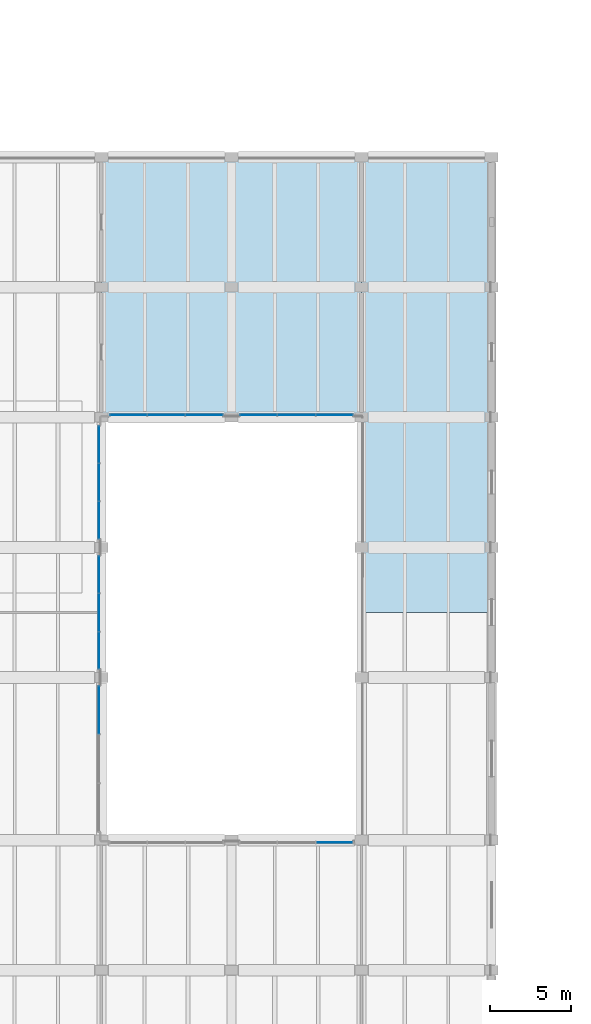
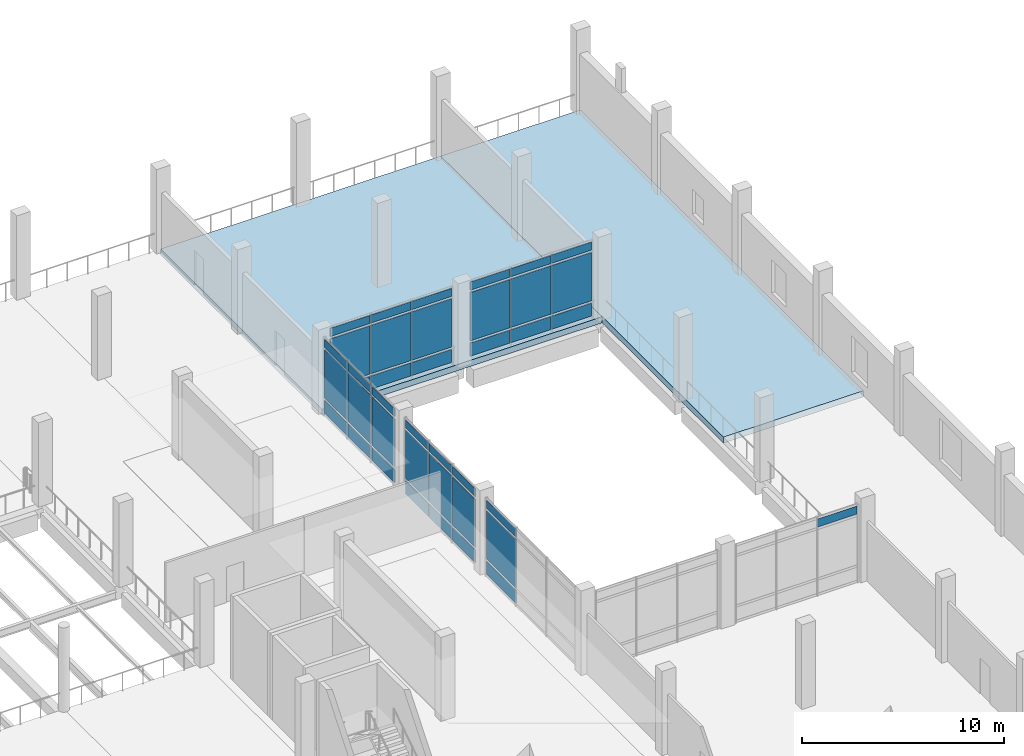
# One storey, part 31 of 61: 40 plates, 2 slabs, 6 elements without a shape of their own.
"""IFC4 building model written with IfcOpenShell, lengths in metres."""

from ifc_helpers import new_model, si_unit, direction, frame, origin, origin_2d, place, context, subcontext, project, spatial, polyline, rectangle, outline, extrude, material, layer, layer_set, type_object, element, aggregate, save


model = new_model("IFC4")

# Units and contexts
model_context = context("Model", 3, precision=1e-05, world=origin(), true_north=direction((0.0, 1.0)))
body_context = subcontext(model_context, "Body", "Model", "MODEL_VIEW")
ifc_project = project(units=[si_unit("LENGTHUNIT", "METRE"), si_unit("AREAUNIT", "SQUARE_METRE"), si_unit("VOLUMEUNIT", "CUBIC_METRE"), si_unit("PLANEANGLEUNIT", "RADIAN"), si_unit("MASSUNIT", "GRAM", prefix="KILO")], contexts=[model_context])

# Site, building, storey
site_placement = place(None, origin())
site = spatial("IfcSite", under=ifc_project, at=site_placement, CompositionType="ELEMENT")
building_placement = place(site_placement, origin())
building = spatial("IfcBuilding", under=site, at=building_placement, Name="Pecanmere Concourse Central Library", CompositionType="ELEMENT")
storey_placement = place(building_placement, frame((0.0, 0.0, 5.39990234375)))
storey = spatial("IfcBuildingStorey", under=building, at=storey_placement, Name="L02", CompositionType="ELEMENT", Elevation=5.39990234375)

# Curtain wall, plate
ifc_material_1 = material(Name="Clear anodized aluminium alloy 6063-T6", Category="aluminium")
curtain_wall_type = type_object("IfcCurtainWallType", Name="CW_CLOISTER_GLAZ", PredefinedType="USERDEFINED", material=ifc_material_1)
curtain_wall_1_placement = place(storey_placement, origin())
curtain_wall_1 = element("IfcCurtainWall", 1, at=curtain_wall_1_placement, inside=storey, type_object=curtain_wall_type, Name="Unitised Curtain Wall CW-04 L02-115", ObjectType="UNITISED CURTAIN WALL", PredefinedType="USERDEFINED")
ifc_material_2 = material(Name="White ceramic-fritted insulated spandrel glazing", Category="glass")
ifc_layer_1 = layer(ifc_material_2, 0.053955078125, Name="CWP_SPN_54")
ifc_layer_set_1 = layer_set([ifc_layer_1], Name="White ceramic-fritted insulated spandrel glazing")
plate_type_1 = type_object("IfcPlateType", Name="CWP_SPN_54", PredefinedType="CURTAIN_PANEL", material=ifc_layer_set_1)
plate_1_placement = place(storey_placement, frame((127.85009765625, 71.998291015625, 0.14013671875), z_axis=(0.0, 0.0, 1.0), x_axis=(0.0, 1.0, 0.0)))
plate_1 = element("IfcPlate", 2, at=plate_1_placement, type_object=plate_type_1, Name="CW-04 Spandrel Panel 3.1", PredefinedType="CURTAIN_PANEL", context=body_context, shape_type="SweptSolid", body=[
    extrude(rectangle(XDim=2.92333984375, YDim=0.035888671875, at=origin_2d()), origin(), (0.0, 0.0, 1.0), 0.7900390625),
])

# Curtain wall, plates
curtain_wall_2_placement = place(storey_placement, origin())
curtain_wall_2 = element("IfcCurtainWall", 3, at=curtain_wall_2_placement, inside=storey, type_object=curtain_wall_type, Name="Unitised Curtain Wall CW-04 L02-117", ObjectType="UNITISED CURTAIN WALL", PredefinedType="USERDEFINED")
plate_2_placement = place(storey_placement, frame((127.85009765625, 75.668212890625, 0.14013671875), z_axis=(0.0, 0.0, 1.0), x_axis=(0.0, 1.0, 0.0)))
plate_2 = element("IfcPlate", 4, at=plate_2_placement, type_object=plate_type_1, Name="CW-04 Spandrel Panel 1.1", PredefinedType="CURTAIN_PANEL", context=body_context, shape_type="SweptSolid", body=[
    extrude(rectangle(XDim=2.256591796875, YDim=0.035888671875, at=origin_2d()), origin(), (0.0, 0.0, 1.0), 0.7900390625),
])
plate_3_placement = place(storey_placement, frame((127.85009765625, 78.0, 0.14013671875), z_axis=(0.0, 0.0, 1.0), x_axis=(0.0, 1.0, 0.0)))
plate_3 = element("IfcPlate", 5, at=plate_3_placement, type_object=plate_type_1, Name="CW-04 Spandrel Panel 2.1", PredefinedType="CURTAIN_PANEL", context=body_context, shape_type="SweptSolid", body=[
    extrude(rectangle(XDim=2.28662109375, YDim=0.035888671875, at=origin_2d()), origin(), (0.0, 0.0, 1.0), 0.7900390625),
])
plate_4_placement = place(storey_placement, frame((127.85009765625, 80.331787109375, 0.14013671875), z_axis=(0.0, 0.0, 1.0), x_axis=(0.0, 1.0, 0.0)))
plate_4 = element("IfcPlate", 6, at=plate_4_placement, type_object=plate_type_1, Name="CW-04 Spandrel Panel 3.1", PredefinedType="CURTAIN_PANEL", context=body_context, shape_type="SweptSolid", body=[
    extrude(rectangle(XDim=2.256591796875, YDim=0.035888671875, at=origin_2d()), origin(), (0.0, 0.0, 1.0), 0.7900390625),
])

curtain_wall_3_placement = place(storey_placement, origin())
curtain_wall_3 = element("IfcCurtainWall", 7, at=curtain_wall_3_placement, inside=storey, type_object=curtain_wall_type, Name="Unitised Curtain Wall CW-04 L02-119", ObjectType="UNITISED CURTAIN WALL", PredefinedType="USERDEFINED")
plate_5_placement = place(storey_placement, frame((127.85009765625, 83.668212890625, 0.14013671875), z_axis=(0.0, 0.0, 1.0), x_axis=(0.0, 1.0, 0.0)))
plate_5 = element("IfcPlate", 8, at=plate_5_placement, type_object=plate_type_1, Name="CW-04 Spandrel Panel 1.1", PredefinedType="CURTAIN_PANEL", context=body_context, shape_type="SweptSolid", body=[
    extrude(rectangle(XDim=2.256591796875, YDim=0.035888671875, at=origin_2d()), origin(), (0.0, 0.0, 1.0), 0.7900390625),
])
plate_6_placement = place(storey_placement, frame((127.85009765625, 86.0, 0.14013671875), z_axis=(0.0, 0.0, 1.0), x_axis=(0.0, 1.0, 0.0)))
plate_6 = element("IfcPlate", 9, at=plate_6_placement, type_object=plate_type_1, Name="CW-04 Spandrel Panel 2.1", PredefinedType="CURTAIN_PANEL", context=body_context, shape_type="SweptSolid", body=[
    extrude(rectangle(XDim=2.28662109375, YDim=0.035888671875, at=origin_2d()), origin(), (0.0, 0.0, 1.0), 0.7900390625),
])
plate_7_placement = place(storey_placement, frame((127.85009765625, 88.331787109375, 0.14013671875), z_axis=(0.0, 0.0, 1.0), x_axis=(0.0, 1.0, 0.0)))
plate_7 = element("IfcPlate", 10, at=plate_7_placement, type_object=plate_type_1, Name="CW-04 Spandrel Panel 3.1", PredefinedType="CURTAIN_PANEL", context=body_context, shape_type="SweptSolid", body=[
    extrude(rectangle(XDim=2.256591796875, YDim=0.035888671875, at=origin_2d()), origin(), (0.0, 0.0, 1.0), 0.7900390625),
])

curtain_wall_4_placement = place(storey_placement, origin())
curtain_wall_4 = element("IfcCurtainWall", 11, at=curtain_wall_4_placement, inside=storey, type_object=curtain_wall_type, Name="Unitised Curtain Wall CW-04 L02-122", ObjectType="UNITISED CURTAIN WALL", PredefinedType="USERDEFINED")
plate_8_placement = place(storey_placement, frame((134.331787109375, 90.14990234375, 0.14013671875), z_axis=(0.0, 0.0, 1.0), x_axis=(-1.0, 0.0, 0.0)))
plate_8 = element("IfcPlate", 12, at=plate_8_placement, type_object=plate_type_1, Name="CW-04 Spandrel Panel 1.1", PredefinedType="CURTAIN_PANEL", context=body_context, shape_type="SweptSolid", body=[
    extrude(rectangle(XDim=2.256591796875, YDim=0.035888671875, at=origin_2d()), origin(), (0.0, 0.0, 1.0), 0.7900390625),
])
plate_9_placement = place(storey_placement, frame((132.0, 90.14990234375, 0.14013671875), z_axis=(0.0, 0.0, 1.0), x_axis=(-1.0, 0.0, 0.0)))
plate_9 = element("IfcPlate", 13, at=plate_9_placement, type_object=plate_type_1, Name="CW-04 Spandrel Panel 2.1", PredefinedType="CURTAIN_PANEL", context=body_context, shape_type="SweptSolid", body=[
    extrude(rectangle(XDim=2.28662109375, YDim=0.035888671875, at=origin_2d()), origin(), (0.0, 0.0, 1.0), 0.7900390625),
])
plate_10_placement = place(storey_placement, frame((129.668212890625, 90.14990234375, 0.14013671875), z_axis=(0.0, 0.0, 1.0), x_axis=(-1.0, 0.0, 0.0)))
plate_10 = element("IfcPlate", 14, at=plate_10_placement, type_object=plate_type_1, Name="CW-04 Spandrel Panel 3.1", PredefinedType="CURTAIN_PANEL", context=body_context, shape_type="SweptSolid", body=[
    extrude(rectangle(XDim=2.256591796875, YDim=0.035888671875, at=origin_2d()), origin(), (0.0, 0.0, 1.0), 0.7900390625),
])

curtain_wall_5_placement = place(storey_placement, origin())
curtain_wall_5 = element("IfcCurtainWall", 15, at=curtain_wall_5_placement, inside=storey, type_object=curtain_wall_type, Name="Unitised Curtain Wall CW-04 L02-124", ObjectType="UNITISED CURTAIN WALL", PredefinedType="USERDEFINED")
plate_11_placement = place(storey_placement, frame((142.331787109375, 90.14990234375, 0.14013671875), z_axis=(0.0, 0.0, 1.0), x_axis=(-1.0, 0.0, 0.0)))
plate_11 = element("IfcPlate", 16, at=plate_11_placement, type_object=plate_type_1, Name="CW-04 Spandrel Panel 1.1", PredefinedType="CURTAIN_PANEL", context=body_context, shape_type="SweptSolid", body=[
    extrude(rectangle(XDim=2.256591796875, YDim=0.035888671875, at=origin_2d()), origin(), (0.0, 0.0, 1.0), 0.7900390625),
])
plate_12_placement = place(storey_placement, frame((140.0, 90.14990234375, 0.14013671875), z_axis=(0.0, 0.0, 1.0), x_axis=(-1.0, 0.0, 0.0)))
plate_12 = element("IfcPlate", 17, at=plate_12_placement, type_object=plate_type_1, Name="CW-04 Spandrel Panel 2.1", PredefinedType="CURTAIN_PANEL", context=body_context, shape_type="SweptSolid", body=[
    extrude(rectangle(XDim=2.28662109375, YDim=0.035888671875, at=origin_2d()), origin(), (0.0, 0.0, 1.0), 0.7900390625),
])
plate_13_placement = place(storey_placement, frame((137.668212890625, 90.14990234375, 0.14013671875), z_axis=(0.0, 0.0, 1.0), x_axis=(-1.0, 0.0, 0.0)))
plate_13 = element("IfcPlate", 18, at=plate_13_placement, type_object=plate_type_1, Name="CW-04 Spandrel Panel 3.1", PredefinedType="CURTAIN_PANEL", context=body_context, shape_type="SweptSolid", body=[
    extrude(rectangle(XDim=2.256591796875, YDim=0.035888671875, at=origin_2d()), origin(), (0.0, 0.0, 1.0), 0.7900390625),
])

# Plate
ifc_material_3 = material(Name="Low-iron clear insulated glazing", Category="glass")
ifc_layer_2 = layer(ifc_material_3, 0.035888671875, Name="CWP_VIS_36")
ifc_layer_set_2 = layer_set([ifc_layer_2], Name="Low-iron clear insulated glazing")
plate_type_2 = type_object("IfcPlateType", Name="CWP_VIS_36", PredefinedType="CURTAIN_PANEL", material=ifc_layer_set_2)
plate_14_placement = place(storey_placement, frame((127.85009765625, 71.998291015625, 1.070068359375), z_axis=(0.0, 0.0, 1.0), x_axis=(0.0, 1.0, 0.0)))
plate_14 = element("IfcPlate", 19, at=plate_14_placement, type_object=plate_type_2, Name="CW-04 Vision Panel 3.2", PredefinedType="CURTAIN_PANEL", context=body_context, shape_type="SweptSolid", body=[
    extrude(rectangle(XDim=2.92333984375, YDim=0.035888671875, at=origin_2d()), origin(), (0.0, 0.0, 1.0), 2.919921875),
])

plate_15_placement = place(storey_placement, frame((127.85009765625, 71.998291015625, 4.1298828125), z_axis=(0.0, 0.0, 1.0), x_axis=(0.0, 1.0, 0.0)))
plate_15 = element("IfcPlate", 20, at=plate_15_placement, type_object=plate_type_2, Name="CW-04 Vision Panel 3.3", PredefinedType="CURTAIN_PANEL", context=body_context, shape_type="SweptSolid", body=[
    extrude(rectangle(XDim=2.92333984375, YDim=0.035888671875, at=origin_2d()), origin(), (0.0, 0.0, 1.0), 0.489990234375),
])

aggregate(curtain_wall_1, [plate_1, plate_14, plate_15])

plate_16_placement = place(storey_placement, frame((127.85009765625, 75.668212890625, 1.070068359375), z_axis=(0.0, 0.0, 1.0), x_axis=(0.0, 1.0, 0.0)))
plate_16 = element("IfcPlate", 21, at=plate_16_placement, type_object=plate_type_2, Name="CW-04 Vision Panel 1.2", PredefinedType="CURTAIN_PANEL", context=body_context, shape_type="SweptSolid", body=[
    extrude(rectangle(XDim=2.256591796875, YDim=0.035888671875, at=origin_2d()), origin(), (0.0, 0.0, 1.0), 2.919921875),
])

plate_17_placement = place(storey_placement, frame((127.85009765625, 75.668212890625, 4.1298828125), z_axis=(0.0, 0.0, 1.0), x_axis=(0.0, 1.0, 0.0)))
plate_17 = element("IfcPlate", 22, at=plate_17_placement, type_object=plate_type_2, Name="CW-04 Vision Panel 1.3", PredefinedType="CURTAIN_PANEL", context=body_context, shape_type="SweptSolid", body=[
    extrude(rectangle(XDim=2.256591796875, YDim=0.035888671875, at=origin_2d()), origin(), (0.0, 0.0, 1.0), 0.489990234375),
])

plate_18_placement = place(storey_placement, frame((127.85009765625, 78.0, 1.070068359375), z_axis=(0.0, 0.0, 1.0), x_axis=(0.0, 1.0, 0.0)))
plate_18 = element("IfcPlate", 23, at=plate_18_placement, type_object=plate_type_2, Name="CW-04 Vision Panel 2.2", PredefinedType="CURTAIN_PANEL", context=body_context, shape_type="SweptSolid", body=[
    extrude(rectangle(XDim=2.28662109375, YDim=0.035888671875, at=origin_2d()), origin(), (0.0, 0.0, 1.0), 2.919921875),
])

plate_19_placement = place(storey_placement, frame((127.85009765625, 78.0, 4.1298828125), z_axis=(0.0, 0.0, 1.0), x_axis=(0.0, 1.0, 0.0)))
plate_19 = element("IfcPlate", 24, at=plate_19_placement, type_object=plate_type_2, Name="CW-04 Vision Panel 2.3", PredefinedType="CURTAIN_PANEL", context=body_context, shape_type="SweptSolid", body=[
    extrude(rectangle(XDim=2.28662109375, YDim=0.035888671875, at=origin_2d()), origin(), (0.0, 0.0, 1.0), 0.489990234375),
])

plate_20_placement = place(storey_placement, frame((127.85009765625, 80.331787109375, 1.070068359375), z_axis=(0.0, 0.0, 1.0), x_axis=(0.0, 1.0, 0.0)))
plate_20 = element("IfcPlate", 25, at=plate_20_placement, type_object=plate_type_2, Name="CW-04 Vision Panel 3.2", PredefinedType="CURTAIN_PANEL", context=body_context, shape_type="SweptSolid", body=[
    extrude(rectangle(XDim=2.256591796875, YDim=0.035888671875, at=origin_2d()), origin(), (0.0, 0.0, 1.0), 2.919921875),
])

plate_21_placement = place(storey_placement, frame((127.85009765625, 80.331787109375, 4.1298828125), z_axis=(0.0, 0.0, 1.0), x_axis=(0.0, 1.0, 0.0)))
plate_21 = element("IfcPlate", 26, at=plate_21_placement, type_object=plate_type_2, Name="CW-04 Vision Panel 3.3", PredefinedType="CURTAIN_PANEL", context=body_context, shape_type="SweptSolid", body=[
    extrude(rectangle(XDim=2.256591796875, YDim=0.035888671875, at=origin_2d()), origin(), (0.0, 0.0, 1.0), 0.489990234375),
])

aggregate(curtain_wall_2, [plate_2, plate_16, plate_17, plate_3, plate_18, plate_19, plate_4, plate_20, plate_21])

plate_22_placement = place(storey_placement, frame((127.85009765625, 83.668212890625, 1.070068359375), z_axis=(0.0, 0.0, 1.0), x_axis=(0.0, 1.0, 0.0)))
plate_22 = element("IfcPlate", 27, at=plate_22_placement, type_object=plate_type_2, Name="CW-04 Vision Panel 1.2", PredefinedType="CURTAIN_PANEL", context=body_context, shape_type="SweptSolid", body=[
    extrude(rectangle(XDim=2.256591796875, YDim=0.035888671875, at=origin_2d()), origin(), (0.0, 0.0, 1.0), 2.919921875),
])

plate_23_placement = place(storey_placement, frame((127.85009765625, 83.668212890625, 4.1298828125), z_axis=(0.0, 0.0, 1.0), x_axis=(0.0, 1.0, 0.0)))
plate_23 = element("IfcPlate", 28, at=plate_23_placement, type_object=plate_type_2, Name="CW-04 Vision Panel 1.3", PredefinedType="CURTAIN_PANEL", context=body_context, shape_type="SweptSolid", body=[
    extrude(rectangle(XDim=2.256591796875, YDim=0.035888671875, at=origin_2d()), origin(), (0.0, 0.0, 1.0), 0.489990234375),
])

plate_24_placement = place(storey_placement, frame((127.85009765625, 86.0, 1.070068359375), z_axis=(0.0, 0.0, 1.0), x_axis=(0.0, 1.0, 0.0)))
plate_24 = element("IfcPlate", 29, at=plate_24_placement, type_object=plate_type_2, Name="CW-04 Vision Panel 2.2", PredefinedType="CURTAIN_PANEL", context=body_context, shape_type="SweptSolid", body=[
    extrude(rectangle(XDim=2.28662109375, YDim=0.035888671875, at=origin_2d()), origin(), (0.0, 0.0, 1.0), 2.919921875),
])

plate_25_placement = place(storey_placement, frame((127.85009765625, 86.0, 4.1298828125), z_axis=(0.0, 0.0, 1.0), x_axis=(0.0, 1.0, 0.0)))
plate_25 = element("IfcPlate", 30, at=plate_25_placement, type_object=plate_type_2, Name="CW-04 Vision Panel 2.3", PredefinedType="CURTAIN_PANEL", context=body_context, shape_type="SweptSolid", body=[
    extrude(rectangle(XDim=2.28662109375, YDim=0.035888671875, at=origin_2d()), origin(), (0.0, 0.0, 1.0), 0.489990234375),
])

plate_26_placement = place(storey_placement, frame((127.85009765625, 88.331787109375, 1.070068359375), z_axis=(0.0, 0.0, 1.0), x_axis=(0.0, 1.0, 0.0)))
plate_26 = element("IfcPlate", 31, at=plate_26_placement, type_object=plate_type_2, Name="CW-04 Vision Panel 3.2", PredefinedType="CURTAIN_PANEL", context=body_context, shape_type="SweptSolid", body=[
    extrude(rectangle(XDim=2.256591796875, YDim=0.035888671875, at=origin_2d()), origin(), (0.0, 0.0, 1.0), 2.919921875),
])

plate_27_placement = place(storey_placement, frame((127.85009765625, 88.331787109375, 4.1298828125), z_axis=(0.0, 0.0, 1.0), x_axis=(0.0, 1.0, 0.0)))
plate_27 = element("IfcPlate", 32, at=plate_27_placement, type_object=plate_type_2, Name="CW-04 Vision Panel 3.3", PredefinedType="CURTAIN_PANEL", context=body_context, shape_type="SweptSolid", body=[
    extrude(rectangle(XDim=2.256591796875, YDim=0.035888671875, at=origin_2d()), origin(), (0.0, 0.0, 1.0), 0.489990234375),
])

aggregate(curtain_wall_3, [plate_5, plate_22, plate_23, plate_6, plate_24, plate_25, plate_7, plate_26, plate_27])

plate_28_placement = place(storey_placement, frame((134.331787109375, 90.14990234375, 1.070068359375), z_axis=(0.0, 0.0, 1.0), x_axis=(-1.0, 0.0, 0.0)))
plate_28 = element("IfcPlate", 33, at=plate_28_placement, type_object=plate_type_2, Name="CW-04 Vision Panel 1.2", PredefinedType="CURTAIN_PANEL", context=body_context, shape_type="SweptSolid", body=[
    extrude(rectangle(XDim=2.256591796875, YDim=0.035888671875, at=origin_2d()), origin(), (0.0, 0.0, 1.0), 2.919921875),
])

plate_29_placement = place(storey_placement, frame((134.331787109375, 90.14990234375, 4.1298828125), z_axis=(0.0, 0.0, 1.0), x_axis=(-1.0, 0.0, 0.0)))
plate_29 = element("IfcPlate", 34, at=plate_29_placement, type_object=plate_type_2, Name="CW-04 Vision Panel 1.3", PredefinedType="CURTAIN_PANEL", context=body_context, shape_type="SweptSolid", body=[
    extrude(rectangle(XDim=2.256591796875, YDim=0.035888671875, at=origin_2d()), origin(), (0.0, 0.0, 1.0), 0.489990234375),
])

plate_30_placement = place(storey_placement, frame((132.0, 90.14990234375, 1.070068359375), z_axis=(0.0, 0.0, 1.0), x_axis=(-1.0, 0.0, 0.0)))
plate_30 = element("IfcPlate", 35, at=plate_30_placement, type_object=plate_type_2, Name="CW-04 Vision Panel 2.2", PredefinedType="CURTAIN_PANEL", context=body_context, shape_type="SweptSolid", body=[
    extrude(rectangle(XDim=2.28662109375, YDim=0.035888671875, at=origin_2d()), origin(), (0.0, 0.0, 1.0), 2.919921875),
])

plate_31_placement = place(storey_placement, frame((132.0, 90.14990234375, 4.1298828125), z_axis=(0.0, 0.0, 1.0), x_axis=(-1.0, 0.0, 0.0)))
plate_31 = element("IfcPlate", 36, at=plate_31_placement, type_object=plate_type_2, Name="CW-04 Vision Panel 2.3", PredefinedType="CURTAIN_PANEL", context=body_context, shape_type="SweptSolid", body=[
    extrude(rectangle(XDim=2.28662109375, YDim=0.035888671875, at=origin_2d()), origin(), (0.0, 0.0, 1.0), 0.489990234375),
])

plate_32_placement = place(storey_placement, frame((129.668212890625, 90.14990234375, 1.070068359375), z_axis=(0.0, 0.0, 1.0), x_axis=(-1.0, 0.0, 0.0)))
plate_32 = element("IfcPlate", 37, at=plate_32_placement, type_object=plate_type_2, Name="CW-04 Vision Panel 3.2", PredefinedType="CURTAIN_PANEL", context=body_context, shape_type="SweptSolid", body=[
    extrude(rectangle(XDim=2.256591796875, YDim=0.035888671875, at=origin_2d()), origin(), (0.0, 0.0, 1.0), 2.919921875),
])

plate_33_placement = place(storey_placement, frame((129.668212890625, 90.14990234375, 4.1298828125), z_axis=(0.0, 0.0, 1.0), x_axis=(-1.0, 0.0, 0.0)))
plate_33 = element("IfcPlate", 38, at=plate_33_placement, type_object=plate_type_2, Name="CW-04 Vision Panel 3.3", PredefinedType="CURTAIN_PANEL", context=body_context, shape_type="SweptSolid", body=[
    extrude(rectangle(XDim=2.256591796875, YDim=0.035888671875, at=origin_2d()), origin(), (0.0, 0.0, 1.0), 0.489990234375),
])

aggregate(curtain_wall_4, [plate_8, plate_28, plate_29, plate_9, plate_30, plate_31, plate_10, plate_32, plate_33])

# Curtain wall, plate
curtain_wall_6_placement = place(storey_placement, origin())
curtain_wall_6 = element("IfcCurtainWall", 39, at=curtain_wall_6_placement, inside=storey, type_object=curtain_wall_type, Name="Unitised Curtain Wall CW-04 L02-123", ObjectType="UNITISED CURTAIN WALL", PredefinedType="USERDEFINED")
plate_34_placement = place(storey_placement, frame((142.331787109375, 63.85009765625, 4.1298828125), z_axis=(0.0, 0.0, 1.0), x_axis=(1.0, 0.0, 0.0)))
plate_34 = element("IfcPlate", 40, at=plate_34_placement, type_object=plate_type_2, Name="CW-04 Vision Panel 3.3", PredefinedType="CURTAIN_PANEL", context=body_context, shape_type="SweptSolid", body=[
    extrude(rectangle(XDim=2.256591796875, YDim=0.035888671875, at=origin_2d()), origin(), (0.0, 0.0, 1.0), 0.489990234375),
])
aggregate(curtain_wall_6, [plate_34])

# Plate
plate_35_placement = place(storey_placement, frame((142.331787109375, 90.14990234375, 1.070068359375), z_axis=(0.0, 0.0, 1.0), x_axis=(-1.0, 0.0, 0.0)))
plate_35 = element("IfcPlate", 41, at=plate_35_placement, type_object=plate_type_2, Name="CW-04 Vision Panel 1.2", PredefinedType="CURTAIN_PANEL", context=body_context, shape_type="SweptSolid", body=[
    extrude(rectangle(XDim=2.256591796875, YDim=0.035888671875, at=origin_2d()), origin(), (0.0, 0.0, 1.0), 2.919921875),
])

plate_36_placement = place(storey_placement, frame((142.331787109375, 90.14990234375, 4.1298828125), z_axis=(0.0, 0.0, 1.0), x_axis=(-1.0, 0.0, 0.0)))
plate_36 = element("IfcPlate", 42, at=plate_36_placement, type_object=plate_type_2, Name="CW-04 Vision Panel 1.3", PredefinedType="CURTAIN_PANEL", context=body_context, shape_type="SweptSolid", body=[
    extrude(rectangle(XDim=2.256591796875, YDim=0.035888671875, at=origin_2d()), origin(), (0.0, 0.0, 1.0), 0.489990234375),
])

plate_37_placement = place(storey_placement, frame((140.0, 90.14990234375, 1.070068359375), z_axis=(0.0, 0.0, 1.0), x_axis=(-1.0, 0.0, 0.0)))
plate_37 = element("IfcPlate", 43, at=plate_37_placement, type_object=plate_type_2, Name="CW-04 Vision Panel 2.2", PredefinedType="CURTAIN_PANEL", context=body_context, shape_type="SweptSolid", body=[
    extrude(rectangle(XDim=2.28662109375, YDim=0.035888671875, at=origin_2d()), origin(), (0.0, 0.0, 1.0), 2.919921875),
])

plate_38_placement = place(storey_placement, frame((140.0, 90.14990234375, 4.1298828125), z_axis=(0.0, 0.0, 1.0), x_axis=(-1.0, 0.0, 0.0)))
plate_38 = element("IfcPlate", 44, at=plate_38_placement, type_object=plate_type_2, Name="CW-04 Vision Panel 2.3", PredefinedType="CURTAIN_PANEL", context=body_context, shape_type="SweptSolid", body=[
    extrude(rectangle(XDim=2.28662109375, YDim=0.035888671875, at=origin_2d()), origin(), (0.0, 0.0, 1.0), 0.489990234375),
])

plate_39_placement = place(storey_placement, frame((137.668212890625, 90.14990234375, 1.070068359375), z_axis=(0.0, 0.0, 1.0), x_axis=(-1.0, 0.0, 0.0)))
plate_39 = element("IfcPlate", 45, at=plate_39_placement, type_object=plate_type_2, Name="CW-04 Vision Panel 3.2", PredefinedType="CURTAIN_PANEL", context=body_context, shape_type="SweptSolid", body=[
    extrude(rectangle(XDim=2.256591796875, YDim=0.035888671875, at=origin_2d()), origin(), (0.0, 0.0, 1.0), 2.919921875),
])

plate_40_placement = place(storey_placement, frame((137.668212890625, 90.14990234375, 4.1298828125), z_axis=(0.0, 0.0, 1.0), x_axis=(-1.0, 0.0, 0.0)))
plate_40 = element("IfcPlate", 46, at=plate_40_placement, type_object=plate_type_2, Name="CW-04 Vision Panel 3.3", PredefinedType="CURTAIN_PANEL", context=body_context, shape_type="SweptSolid", body=[
    extrude(rectangle(XDim=2.256591796875, YDim=0.035888671875, at=origin_2d()), origin(), (0.0, 0.0, 1.0), 0.489990234375),
])

aggregate(curtain_wall_5, [plate_11, plate_35, plate_36, plate_12, plate_37, plate_38, plate_13, plate_39, plate_40])

# Slabs
ifc_material_4 = material(Name="Concrete C35/45", Category="concrete")
ifc_layer_3 = layer(ifc_material_4, 0.3701171875, Name="SLAB_COMPACT_370")
ifc_layer_set_3 = layer_set([ifc_layer_3], Name="Concrete C35/45")
slab_type = type_object("IfcSlabType", Name="SLAB_COMPACT_370", PredefinedType="FLOOR", material=ifc_layer_set_3)
slab_1_placement = place(storey_placement, frame((0.0, 0.0, -0.369873046875)))
element("IfcSlab", 47, at=slab_1_placement, inside=storey, type_object=slab_type, Name="Floor Slab V2 L02-076", PredefinedType="FLOOR", context=body_context, shape_type="SweptSolid", body=[
    extrude(outline(polyline([(144.0, 106.0), (144.0, 91.60009765625), (143.919921875, 91.60009765625), (143.919921875, 91.0), (144.0, 91.0), (144.0, 90.0), (128.0, 90.0), (128.0, 106.0), (144.0, 106.0)])), origin(), (0.0, 0.0, 1.0), 0.369873046875),
])
slab_2_placement = place(storey_placement, frame((0.0, 0.0, -0.369873046875)))
element("IfcSlab", 48, at=slab_2_placement, inside=storey, type_object=slab_type, Name="Floor Slab V2 L02-078", PredefinedType="FLOOR", context=body_context, shape_type="SweptSolid", body=[
    extrude(outline(polyline([(144.0, 78.0), (144.0, 90.0), (144.0, 106.0), (152.0, 106.0), (152.0, 78.0), (144.0, 78.0)])), origin(), (0.0, 0.0, 1.0), 0.369873046875),
])

save(model, "model.ifc")
